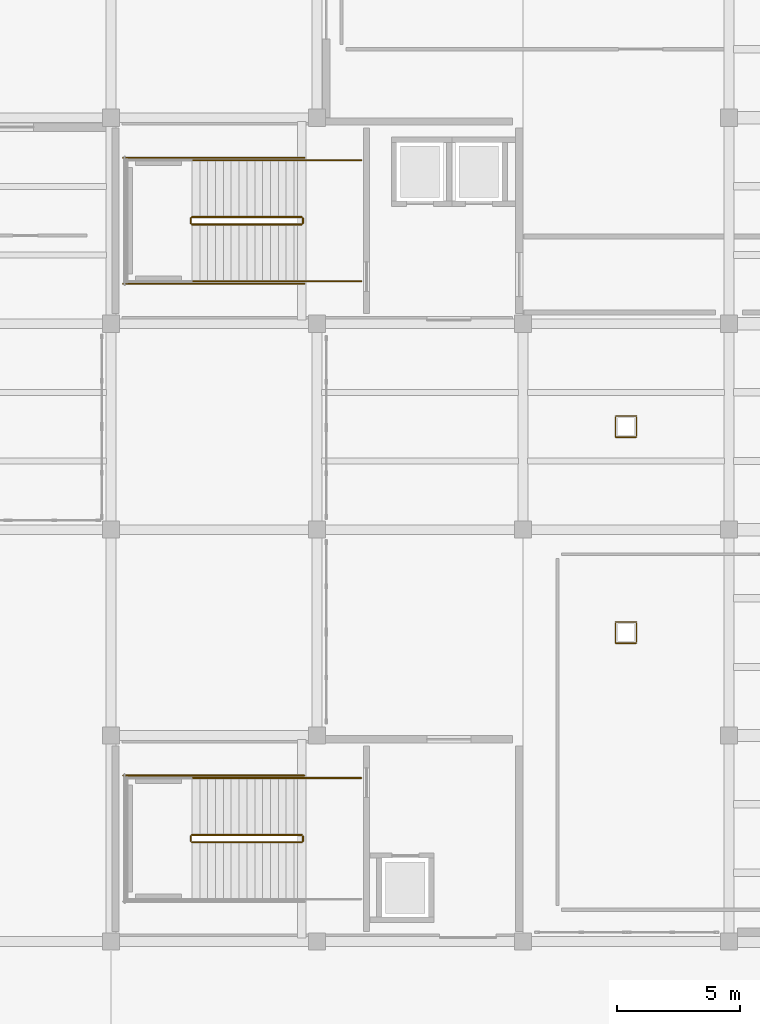
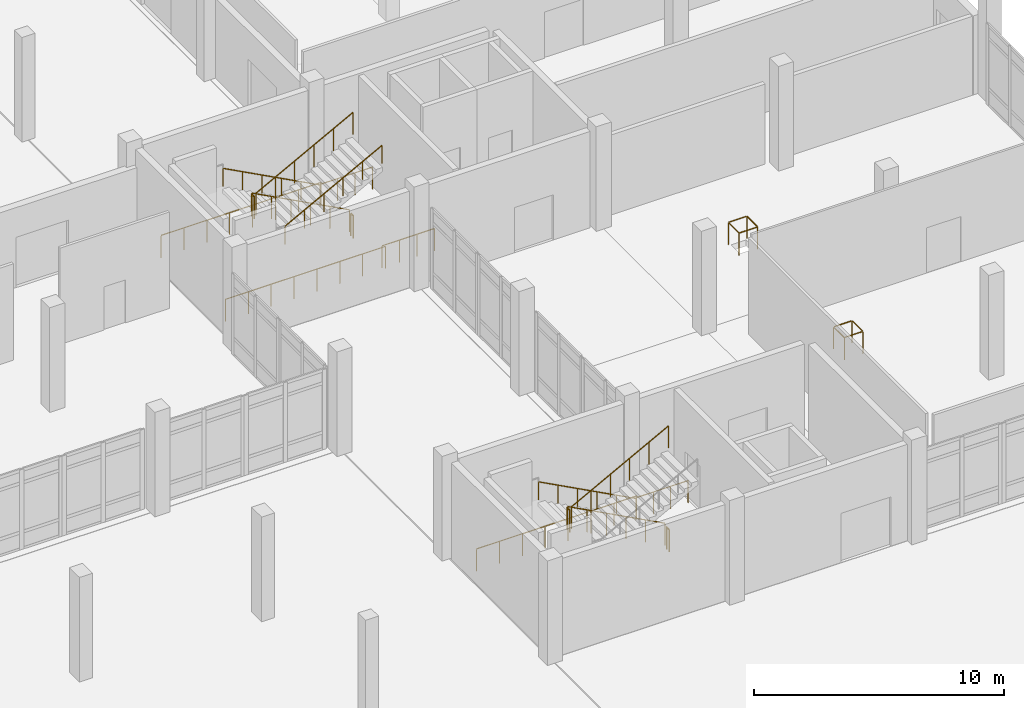
# One storey, part 62 of 64: 19 railings.
"""IFC4 building model written with IfcOpenShell, lengths in metres."""

from ifc_helpers import new_model, si_unit, derived_unit, direction, frame, origin, origin_2d, place, context, subcontext, project, spatial, circle, extrude, material, type_object, element, save


model = new_model("IFC4")

# Units and contexts
model_context = context("Model", 3, precision=1e-05, world=origin(), true_north=direction((0.0, 1.0)))
body_context = subcontext(model_context, "Body", "Model", "MODEL_VIEW")
ifc_project = project(units=[si_unit("LENGTHUNIT", "METRE"), si_unit("AREAUNIT", "SQUARE_METRE"), si_unit("VOLUMEUNIT", "CUBIC_METRE"), si_unit("PLANEANGLEUNIT", "RADIAN"), si_unit("MASSUNIT", "GRAM", prefix="KILO"), derived_unit("THERMALTRANSMITTANCEUNIT", [(si_unit("POWERUNIT", "WATT"), 1), (si_unit("LENGTHUNIT", "METRE"), -2), (si_unit("THERMODYNAMICTEMPERATUREUNIT", "KELVIN"), -1)])], contexts=[model_context])

# Site, building, storey
site_placement = place(None, origin())
site = spatial("IfcSite", under=ifc_project, at=site_placement, CompositionType="ELEMENT")
building_placement = place(site_placement, origin())
building = spatial("IfcBuilding", under=site, at=building_placement, Name="Elbkamm Science Centre", CompositionType="ELEMENT")
storey_placement = place(building_placement, origin())
storey = spatial("IfcBuildingStorey", under=building, at=storey_placement, Name="L00", CompositionType="ELEMENT", Elevation=0.0)

# Railings
ifc_material = material(Name="Stainless steel EN 1.4401", Category="steel")
railing_type_1 = type_object("IfcRailingType", Name="RAIL-GUARD-1100", PredefinedType="GUARDRAIL", material=ifc_material)
railing_1_placement = place(storey_placement, frame((133.780029296875, 54.75, 0.169921875)))
element("IfcRailing", 1, at=railing_1_placement, inside=storey, type_object=railing_type_1, Name="L00 ST-C3 stair guard 1", PredefinedType="GUARDRAIL", context=body_context, shape_type="SweptSolid", body=[
    extrude(circle(Radius=0.02392578125, at=origin_2d()), frame((0.0, 0.0, 1.078125), z_axis=(-0.883104503341, 0.0, 0.469176338042), x_axis=(0.0, -1.0, 0.0)), (0.0, 0.0, 1.0), 5.072998046875),
    extrude(circle(Radius=0.02001953125, at=origin_2d()), origin(), (0.0, 0.0, 1.0), 1.048095703125),
    extrude(circle(Radius=0.02001953125, at=origin_2d()), frame((-0.89599609375, 0.0, 0.47607421875)), (0.0, 0.0, 1.0), 1.048095703125),
    extrude(circle(Radius=0.02001953125, at=origin_2d()), frame((-1.7919921875, 0.0, 0.9521484375)), (0.0, 0.0, 1.0), 1.048095703125),
    extrude(circle(Radius=0.02001953125, at=origin_2d()), frame((-2.68798828125, 0.0, 1.427978515625)), (0.0, 0.0, 1.0), 1.048095703125),
    extrude(circle(Radius=0.02001953125, at=origin_2d()), frame((-3.583984375, 0.0, 1.904052734375)), (0.0, 0.0, 1.0), 1.048095703125),
    extrude(circle(Radius=0.02001953125, at=origin_2d()), frame((-4.47998046875, 0.0, 2.380126953125)), (0.0, 0.0, 1.0), 1.048095703125),
])
railing_2_placement = place(storey_placement, frame((129.25, 54.699951171875, 2.550048828125)))
element("IfcRailing", 2, at=railing_2_placement, inside=storey, type_object=railing_type_1, Name="L00 ST-C3 stair guard 2", PredefinedType="GUARDRAIL", context=body_context, shape_type="SweptSolid", body=[
    extrude(circle(Radius=0.02392578125, at=origin_2d()), frame((0.0, 0.0, 1.078125), z_axis=(0.0, -1.0, 0.0), x_axis=(1.0, 0.0, 0.0)), (0.0, 0.0, 1.0), 0.199951171875),
    extrude(circle(Radius=0.02001953125, at=origin_2d()), origin(), (0.0, 0.0, 1.0), 1.048095703125),
    extrude(circle(Radius=0.02001953125, at=origin_2d()), frame((0.0, -0.199951171875, 0.0)), (0.0, 0.0, 1.0), 1.048095703125),
])
railing_3_placement = place(storey_placement, frame((129.300048828125, 54.449951171875, 2.719970703125)))
element("IfcRailing", 3, at=railing_3_placement, inside=storey, type_object=railing_type_1, Name="L00 ST-C3 stair guard 6", PredefinedType="GUARDRAIL", context=body_context, shape_type="SweptSolid", body=[
    extrude(circle(Radius=0.02392578125, at=origin_2d()), frame((0.0, 0.0, 1.078125), z_axis=(0.883104503341, 0.0, 0.469176338042), x_axis=(0.0, 1.0, 0.0)), (0.0, 0.0, 1.0), 5.072998046875),
    extrude(circle(Radius=0.02001953125, at=origin_2d()), origin(), (0.0, 0.0, 1.0), 1.048095703125),
    extrude(circle(Radius=0.02001953125, at=origin_2d()), frame((0.89599609375, 0.0, 0.47607421875)), (0.0, 0.0, 1.0), 1.048095703125),
    extrude(circle(Radius=0.02001953125, at=origin_2d()), frame((1.7919921875, 0.0, 0.9521484375)), (0.0, 0.0, 1.0), 1.048095703125),
    extrude(circle(Radius=0.02001953125, at=origin_2d()), frame((2.68798828125, 0.0, 1.427978515625)), (0.0, 0.0, 1.0), 1.048095703125),
    extrude(circle(Radius=0.02001953125, at=origin_2d()), frame((3.583984375, 0.0, 1.904052734375)), (0.0, 0.0, 1.0), 1.048095703125),
    extrude(circle(Radius=0.02001953125, at=origin_2d()), frame((4.47998046875, 0.0, 2.380126953125)), (0.0, 0.0, 1.0), 1.048095703125),
])
railing_4_placement = place(storey_placement, frame((133.830078125, 54.699951171875, 0.0)))
element("IfcRailing", 4, at=railing_4_placement, inside=storey, type_object=railing_type_1, Name="L00 ST-C3 stair guard 7", PredefinedType="GUARDRAIL", context=body_context, shape_type="SweptSolid", body=[
    extrude(circle(Radius=0.02392578125, at=origin_2d()), frame((0.0, 0.0, 1.078125), z_axis=(0.0, -1.0, 0.0), x_axis=(1.0, 0.0, 0.0)), (0.0, 0.0, 1.0), 0.199951171875),
    extrude(circle(Radius=0.02001953125, at=origin_2d()), origin(), (0.0, 0.0, 1.0), 1.048095703125),
    extrude(circle(Radius=0.02001953125, at=origin_2d()), frame((0.0, -0.199951171875, 0.0)), (0.0, 0.0, 1.0), 1.048095703125),
])
for number, where, name in (
    (5, (136.199951171875, 57.070068359375, 0.0), "L00 ST-C3 stair guard 8"),
    (6, (136.199951171875, 52.1298828125, 0.0), "L00 ST-C3 stair guard 9"),
):
    element("IfcRailing", number, at=place(storey_placement, frame(where)), inside=storey, type_object=railing_type_1, Name=name, PredefinedType="GUARDRAIL", context=body_context, shape_type="SweptSolid", body=[
        extrude(circle(Radius=0.02392578125, at=origin_2d()), frame((0.0, 0.0, 1.078125), z_axis=(-1.0, 0.0, 0.0), x_axis=(0.0, -1.0, 0.0)), (0.0, 0.0, 1.0), 2.419921875),
        extrude(circle(Radius=0.02001953125, at=origin_2d()), origin(), (0.0, 0.0, 1.0), 1.048095703125),
        extrude(circle(Radius=0.02001953125, at=origin_2d()), frame((-0.806640625, 0.0, 0.0)), (0.0, 0.0, 1.0), 1.048095703125),
        extrude(circle(Radius=0.02001953125, at=origin_2d()), frame((-1.61328125, 0.0, 0.0)), (0.0, 0.0, 1.0), 1.048095703125),
        extrude(circle(Radius=0.02001953125, at=origin_2d()), frame((-2.419921875, 0.0, 0.0)), (0.0, 0.0, 1.0), 1.048095703125),
    ])
for number, where, name in (
    (7, (133.8798828125, 57.169921875, 0.0), "L00 ST-C3 stair guard 10"),
    (8, (133.8798828125, 52.030029296875, 0.0), "L00 ST-C3 stair guard 11"),
):
    element("IfcRailing", number, at=place(storey_placement, frame(where)), inside=storey, type_object=railing_type_1, Name=name, PredefinedType="GUARDRAIL", context=body_context, shape_type="SweptSolid", body=[
        extrude(circle(Radius=0.02392578125, at=origin_2d()), frame((0.0, 0.0, 1.078125), z_axis=(-1.0, 0.0, 0.0), x_axis=(0.0, -1.0, 0.0)), (0.0, 0.0, 1.0), 7.3798828125),
        extrude(circle(Radius=0.02001953125, at=origin_2d()), origin(), (0.0, 0.0, 1.0), 1.048095703125),
        extrude(circle(Radius=0.02001953125, at=origin_2d()), frame((-1.05419921875, 0.0, 0.0)), (0.0, 0.0, 1.0), 1.048095703125),
        extrude(circle(Radius=0.02001953125, at=origin_2d()), frame((-2.108642578125, 0.0, 0.0)), (0.0, 0.0, 1.0), 1.048095703125),
        extrude(circle(Radius=0.02001953125, at=origin_2d()), frame((-3.162841796875, 0.0, 0.0)), (0.0, 0.0, 1.0), 1.048095703125),
        extrude(circle(Radius=0.02001953125, at=origin_2d()), frame((-4.217041015625, 0.0, 0.0)), (0.0, 0.0, 1.0), 1.048095703125),
        extrude(circle(Radius=0.02001953125, at=origin_2d()), frame((-5.271240234375, 0.0, 0.0)), (0.0, 0.0, 1.0), 1.048095703125),
        extrude(circle(Radius=0.02001953125, at=origin_2d()), frame((-6.32568359375, 0.0, 0.0)), (0.0, 0.0, 1.0), 1.048095703125),
        extrude(circle(Radius=0.02001953125, at=origin_2d()), frame((-7.3798828125, 0.0, 0.0)), (0.0, 0.0, 1.0), 1.048095703125),
    ])
railing_5_placement = place(storey_placement, frame((133.780029296875, 29.550048828125, 0.169921875)))
element("IfcRailing", 9, at=railing_5_placement, inside=storey, type_object=railing_type_1, Name="L00 ST-C4 stair guard 1", PredefinedType="GUARDRAIL", context=body_context, shape_type="SweptSolid", body=[
    extrude(circle(Radius=0.02392578125, at=origin_2d()), frame((0.0, 0.0, 1.078125), z_axis=(-0.883104503341, 0.0, 0.469176338042), x_axis=(0.0, -1.0, 0.0)), (0.0, 0.0, 1.0), 5.072998046875),
    extrude(circle(Radius=0.02001953125, at=origin_2d()), origin(), (0.0, 0.0, 1.0), 1.048095703125),
    extrude(circle(Radius=0.02001953125, at=origin_2d()), frame((-0.89599609375, 0.0, 0.47607421875)), (0.0, 0.0, 1.0), 1.048095703125),
    extrude(circle(Radius=0.02001953125, at=origin_2d()), frame((-1.7919921875, 0.0, 0.9521484375)), (0.0, 0.0, 1.0), 1.048095703125),
    extrude(circle(Radius=0.02001953125, at=origin_2d()), frame((-2.68798828125, 0.0, 1.427978515625)), (0.0, 0.0, 1.0), 1.048095703125),
    extrude(circle(Radius=0.02001953125, at=origin_2d()), frame((-3.583984375, 0.0, 1.904052734375)), (0.0, 0.0, 1.0), 1.048095703125),
    extrude(circle(Radius=0.02001953125, at=origin_2d()), frame((-4.47998046875, 0.0, 2.380126953125)), (0.0, 0.0, 1.0), 1.048095703125),
])
railing_6_placement = place(storey_placement, frame((129.25, 29.5, 2.550048828125)))
element("IfcRailing", 10, at=railing_6_placement, inside=storey, type_object=railing_type_1, Name="L00 ST-C4 stair guard 2", PredefinedType="GUARDRAIL", context=body_context, shape_type="SweptSolid", body=[
    extrude(circle(Radius=0.02392578125, at=origin_2d()), frame((0.0, 0.0, 1.078125), z_axis=(0.0, -1.0, 0.0), x_axis=(1.0, 0.0, 0.0)), (0.0, 0.0, 1.0), 0.199951171875),
    extrude(circle(Radius=0.02001953125, at=origin_2d()), origin(), (0.0, 0.0, 1.0), 1.048095703125),
    extrude(circle(Radius=0.02001953125, at=origin_2d()), frame((0.0, -0.199951171875, 0.0)), (0.0, 0.0, 1.0), 1.048095703125),
])
railing_7_placement = place(storey_placement, frame((129.300048828125, 29.25, 2.719970703125)))
element("IfcRailing", 11, at=railing_7_placement, inside=storey, type_object=railing_type_1, Name="L00 ST-C4 stair guard 6", PredefinedType="GUARDRAIL", context=body_context, shape_type="SweptSolid", body=[
    extrude(circle(Radius=0.02392578125, at=origin_2d()), frame((0.0, 0.0, 1.078125), z_axis=(0.883104503341, 0.0, 0.469176338042), x_axis=(0.0, 1.0, 0.0)), (0.0, 0.0, 1.0), 5.072998046875),
    extrude(circle(Radius=0.02001953125, at=origin_2d()), origin(), (0.0, 0.0, 1.0), 1.048095703125),
    extrude(circle(Radius=0.02001953125, at=origin_2d()), frame((0.89599609375, 0.0, 0.47607421875)), (0.0, 0.0, 1.0), 1.048095703125),
    extrude(circle(Radius=0.02001953125, at=origin_2d()), frame((1.7919921875, 0.0, 0.9521484375)), (0.0, 0.0, 1.0), 1.048095703125),
    extrude(circle(Radius=0.02001953125, at=origin_2d()), frame((2.68798828125, 0.0, 1.427978515625)), (0.0, 0.0, 1.0), 1.048095703125),
    extrude(circle(Radius=0.02001953125, at=origin_2d()), frame((3.583984375, 0.0, 1.904052734375)), (0.0, 0.0, 1.0), 1.048095703125),
    extrude(circle(Radius=0.02001953125, at=origin_2d()), frame((4.47998046875, 0.0, 2.380126953125)), (0.0, 0.0, 1.0), 1.048095703125),
])
railing_8_placement = place(storey_placement, frame((133.830078125, 29.5, 0.0)))
element("IfcRailing", 12, at=railing_8_placement, inside=storey, type_object=railing_type_1, Name="L00 ST-C4 stair guard 7", PredefinedType="GUARDRAIL", context=body_context, shape_type="SweptSolid", body=[
    extrude(circle(Radius=0.02392578125, at=origin_2d()), frame((0.0, 0.0, 1.078125), z_axis=(0.0, -1.0, 0.0), x_axis=(1.0, 0.0, 0.0)), (0.0, 0.0, 1.0), 0.199951171875),
    extrude(circle(Radius=0.02001953125, at=origin_2d()), origin(), (0.0, 0.0, 1.0), 1.048095703125),
    extrude(circle(Radius=0.02001953125, at=origin_2d()), frame((0.0, -0.199951171875, 0.0)), (0.0, 0.0, 1.0), 1.048095703125),
])
railing_9_placement = place(storey_placement, frame((136.199951171875, 31.8701171875, 0.0)))
element("IfcRailing", 13, at=railing_9_placement, inside=storey, type_object=railing_type_1, Name="L00 ST-C4 stair guard 8", PredefinedType="GUARDRAIL", context=body_context, shape_type="SweptSolid", body=[
    extrude(circle(Radius=0.02392578125, at=origin_2d()), frame((0.0, 0.0, 1.078125), z_axis=(-1.0, 0.0, 0.0), x_axis=(0.0, -1.0, 0.0)), (0.0, 0.0, 1.0), 2.419921875),
    extrude(circle(Radius=0.02001953125, at=origin_2d()), origin(), (0.0, 0.0, 1.0), 1.048095703125),
    extrude(circle(Radius=0.02001953125, at=origin_2d()), frame((-0.806640625, 0.0, 0.0)), (0.0, 0.0, 1.0), 1.048095703125),
    extrude(circle(Radius=0.02001953125, at=origin_2d()), frame((-1.61328125, 0.0, 0.0)), (0.0, 0.0, 1.0), 1.048095703125),
    extrude(circle(Radius=0.02001953125, at=origin_2d()), frame((-2.419921875, 0.0, 0.0)), (0.0, 0.0, 1.0), 1.048095703125),
])
railing_10_placement = place(storey_placement, frame((133.8798828125, 31.969970703125, 0.0)))
element("IfcRailing", 14, at=railing_10_placement, inside=storey, type_object=railing_type_1, Name="L00 ST-C4 stair guard 10", PredefinedType="GUARDRAIL", context=body_context, shape_type="SweptSolid", body=[
    extrude(circle(Radius=0.02392578125, at=origin_2d()), frame((0.0, 0.0, 1.078125), z_axis=(-1.0, 0.0, 0.0), x_axis=(0.0, -1.0, 0.0)), (0.0, 0.0, 1.0), 7.3798828125),
    extrude(circle(Radius=0.02001953125, at=origin_2d()), origin(), (0.0, 0.0, 1.0), 1.048095703125),
    extrude(circle(Radius=0.02001953125, at=origin_2d()), frame((-1.05419921875, 0.0, 0.0)), (0.0, 0.0, 1.0), 1.048095703125),
    extrude(circle(Radius=0.02001953125, at=origin_2d()), frame((-2.108642578125, 0.0, 0.0)), (0.0, 0.0, 1.0), 1.048095703125),
    extrude(circle(Radius=0.02001953125, at=origin_2d()), frame((-3.162841796875, 0.0, 0.0)), (0.0, 0.0, 1.0), 1.048095703125),
    extrude(circle(Radius=0.02001953125, at=origin_2d()), frame((-4.217041015625, 0.0, 0.0)), (0.0, 0.0, 1.0), 1.048095703125),
    extrude(circle(Radius=0.02001953125, at=origin_2d()), frame((-5.271240234375, 0.0, 0.0)), (0.0, 0.0, 1.0), 1.048095703125),
    extrude(circle(Radius=0.02001953125, at=origin_2d()), frame((-6.32568359375, 0.0, 0.0)), (0.0, 0.0, 1.0), 1.048095703125),
    extrude(circle(Radius=0.02001953125, at=origin_2d()), frame((-7.3798828125, 0.0, 0.0)), (0.0, 0.0, 1.0), 1.048095703125),
])
for number, where, name in (
    (15, (146.570068359375, 37.3701171875, 0.0), "L00 Service Riser Opening Guardrail 006"),
    (16, (146.570068359375, 45.77001953125, 0.0), "L00 Service Riser Opening Guardrail 007"),
):
    element("IfcRailing", number, at=place(storey_placement, frame(where)), inside=storey, type_object=railing_type_1, Name=name, PredefinedType="GUARDRAIL", context=body_context, shape_type="SweptSolid", body=[
        extrude(circle(Radius=0.02392578125, at=origin_2d()), frame((0.0, 0.0, 1.078125), z_axis=(1.0, 0.0, 0.0), x_axis=(0.0, 1.0, 0.0)), (0.0, 0.0, 1.0), 0.829833984375),
        extrude(circle(Radius=0.02392578125, at=origin_2d()), frame((0.85986328125, 0.030029296875, 1.078125), z_axis=(0.0, 1.0, 0.0), x_axis=(-1.0, 0.0, 0.0)), (0.0, 0.0, 1.0), 0.7998046875),
        extrude(circle(Radius=0.02392578125, at=origin_2d()), frame((0.829833984375, 0.85986328125, 1.078125), z_axis=(-1.0, 0.0, 0.0), x_axis=(0.0, -1.0, 0.0)), (0.0, 0.0, 1.0), 0.7998046875),
        extrude(circle(Radius=0.02392578125, at=origin_2d()), frame((0.0, 0.829833984375, 1.078125), z_axis=(0.0, -1.0, 0.0), x_axis=(1.0, 0.0, 0.0)), (0.0, 0.0, 1.0), 0.829833984375),
        extrude(circle(Radius=0.02001953125, at=origin_2d()), origin(), (0.0, 0.0, 1.0), 1.048095703125),
        extrude(circle(Radius=0.02001953125, at=origin_2d()), frame((0.85986328125, 0.0, 0.0)), (0.0, 0.0, 1.0), 1.048095703125),
        extrude(circle(Radius=0.02001953125, at=origin_2d()), frame((0.85986328125, 0.85986328125, 0.0)), (0.0, 0.0, 1.0), 1.048095703125),
        extrude(circle(Radius=0.02001953125, at=origin_2d()), frame((0.0, 0.85986328125, 0.0)), (0.0, 0.0, 1.0), 1.048095703125),
    ])
railing_type_2 = type_object("IfcRailingType", Name="RAIL-HAND-900", PredefinedType="HANDRAIL", material=ifc_material)
railing_11_placement = place(storey_placement, frame((133.780029296875, 57.070068359375, 0.169921875)))
element("IfcRailing", 17, at=railing_11_placement, inside=storey, type_object=railing_type_2, Name="L00 ST-C3 stair handrail 1", PredefinedType="HANDRAIL", context=body_context, shape_type="SweptSolid", body=[
    extrude(circle(Radius=0.02392578125, at=origin_2d()), frame((0.0, 0.0, 0.8779296875), z_axis=(-0.883104503341, 0.0, 0.469176338042), x_axis=(0.0, -1.0, 0.0)), (0.0, 0.0, 1.0), 5.072998046875),
    extrude(circle(Radius=0.02001953125, at=origin_2d()), origin(), (0.0, 0.0, 1.0), 0.847900390625),
    extrude(circle(Radius=0.02001953125, at=origin_2d()), frame((-0.89599609375, 0.0, 0.47607421875)), (0.0, 0.0, 1.0), 0.847900390625),
    extrude(circle(Radius=0.02001953125, at=origin_2d()), frame((-1.7919921875, 0.0, 0.9521484375)), (0.0, 0.0, 1.0), 0.847900390625),
    extrude(circle(Radius=0.02001953125, at=origin_2d()), frame((-2.68798828125, 0.0, 1.427978515625)), (0.0, 0.0, 1.0), 0.847900390625),
    extrude(circle(Radius=0.02001953125, at=origin_2d()), frame((-3.583984375, 0.0, 1.904052734375)), (0.0, 0.0, 1.0), 0.847900390625),
    extrude(circle(Radius=0.02001953125, at=origin_2d()), frame((-4.47998046875, 0.0, 2.380126953125)), (0.0, 0.0, 1.0), 0.847900390625),
])
railing_12_placement = place(storey_placement, frame((129.300048828125, 52.1298828125, 2.719970703125)))
element("IfcRailing", 18, at=railing_12_placement, inside=storey, type_object=railing_type_2, Name="L00 ST-C3 stair handrail 2", PredefinedType="HANDRAIL", context=body_context, shape_type="SweptSolid", body=[
    extrude(circle(Radius=0.02392578125, at=origin_2d()), frame((0.0, 0.0, 0.8779296875), z_axis=(0.883104503341, 0.0, 0.469176338042), x_axis=(0.0, 1.0, 0.0)), (0.0, 0.0, 1.0), 5.072998046875),
    extrude(circle(Radius=0.02001953125, at=origin_2d()), origin(), (0.0, 0.0, 1.0), 0.847900390625),
    extrude(circle(Radius=0.02001953125, at=origin_2d()), frame((0.89599609375, 0.0, 0.47607421875)), (0.0, 0.0, 1.0), 0.847900390625),
    extrude(circle(Radius=0.02001953125, at=origin_2d()), frame((1.7919921875, 0.0, 0.9521484375)), (0.0, 0.0, 1.0), 0.847900390625),
    extrude(circle(Radius=0.02001953125, at=origin_2d()), frame((2.68798828125, 0.0, 1.427978515625)), (0.0, 0.0, 1.0), 0.847900390625),
    extrude(circle(Radius=0.02001953125, at=origin_2d()), frame((3.583984375, 0.0, 1.904052734375)), (0.0, 0.0, 1.0), 0.847900390625),
    extrude(circle(Radius=0.02001953125, at=origin_2d()), frame((4.47998046875, 0.0, 2.380126953125)), (0.0, 0.0, 1.0), 0.847900390625),
])
railing_13_placement = place(storey_placement, frame((133.780029296875, 31.8701171875, 0.169921875)))
element("IfcRailing", 19, at=railing_13_placement, inside=storey, type_object=railing_type_2, Name="L00 ST-C4 stair handrail 1", PredefinedType="HANDRAIL", context=body_context, shape_type="SweptSolid", body=[
    extrude(circle(Radius=0.02392578125, at=origin_2d()), frame((0.0, 0.0, 0.8779296875), z_axis=(-0.883104503341, 0.0, 0.469176338042), x_axis=(0.0, -1.0, 0.0)), (0.0, 0.0, 1.0), 5.072998046875),
    extrude(circle(Radius=0.02001953125, at=origin_2d()), origin(), (0.0, 0.0, 1.0), 0.847900390625),
    extrude(circle(Radius=0.02001953125, at=origin_2d()), frame((-0.89599609375, 0.0, 0.47607421875)), (0.0, 0.0, 1.0), 0.847900390625),
    extrude(circle(Radius=0.02001953125, at=origin_2d()), frame((-1.7919921875, 0.0, 0.9521484375)), (0.0, 0.0, 1.0), 0.847900390625),
    extrude(circle(Radius=0.02001953125, at=origin_2d()), frame((-2.68798828125, 0.0, 1.427978515625)), (0.0, 0.0, 1.0), 0.847900390625),
    extrude(circle(Radius=0.02001953125, at=origin_2d()), frame((-3.583984375, 0.0, 1.904052734375)), (0.0, 0.0, 1.0), 0.847900390625),
    extrude(circle(Radius=0.02001953125, at=origin_2d()), frame((-4.47998046875, 0.0, 2.380126953125)), (0.0, 0.0, 1.0), 0.847900390625),
])

save(model, "model.ifc")
